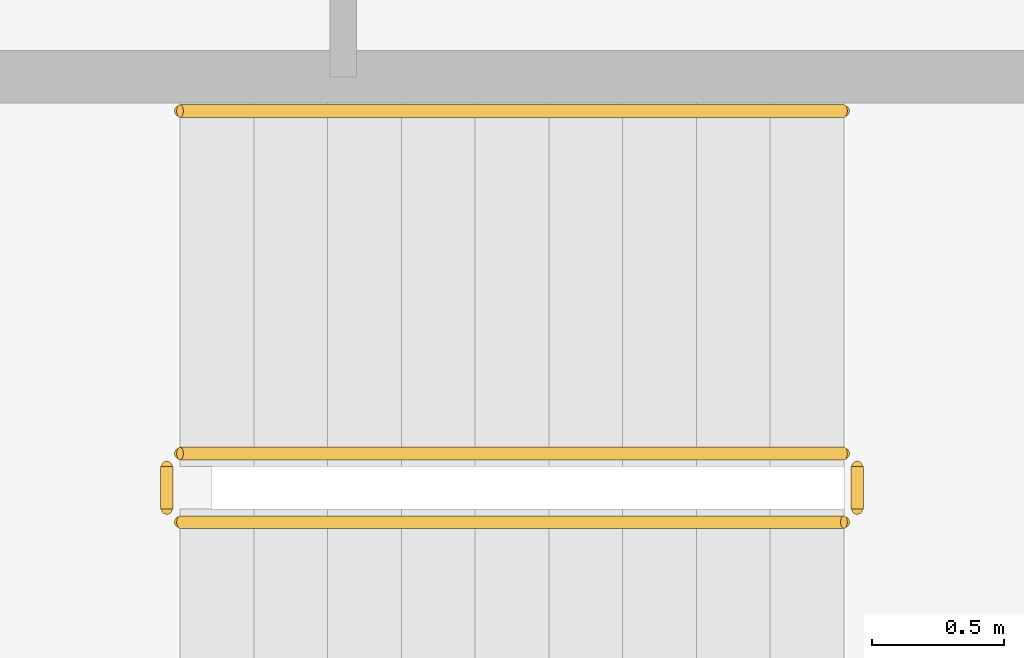
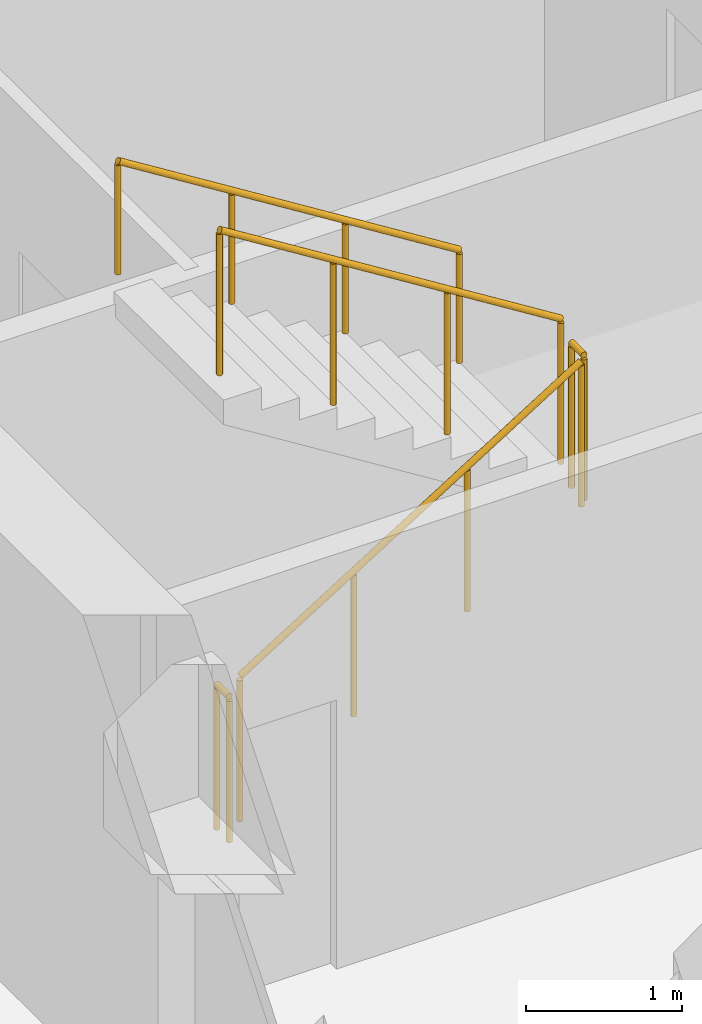
# One storey, part 39 of 42: 5 railings.
"""IFC4 building model written with IfcOpenShell, lengths in metres."""

from ifc_helpers import new_model, si_unit, direction, frame, origin, origin_2d, place, context, subcontext, project, spatial, circle, extrude, material, type_object, element, save


model = new_model("IFC4")

# Units and contexts
model_context = context("Model", 3, precision=1e-05, world=origin(), true_north=direction((0.0, 1.0)))
body_context = subcontext(model_context, "Body", "Model", "MODEL_VIEW")
ifc_project = project(units=[si_unit("LENGTHUNIT", "METRE"), si_unit("AREAUNIT", "SQUARE_METRE"), si_unit("VOLUMEUNIT", "CUBIC_METRE"), si_unit("PLANEANGLEUNIT", "RADIAN"), si_unit("MASSUNIT", "GRAM", prefix="KILO")], contexts=[model_context])

# Site, building, storey
site_placement = place(None, origin())
site = spatial("IfcSite", under=ifc_project, at=site_placement, CompositionType="ELEMENT")
building_placement = place(site_placement, origin())
building = spatial("IfcBuilding", under=site, at=building_placement, Name="Drelvath Grand Hotel", CompositionType="ELEMENT")
storey_placement = place(building_placement, frame((0.0, 0.0, 33.199951171875)))
storey = spatial("IfcBuildingStorey", under=building, at=storey_placement, Name="L06", CompositionType="ELEMENT", Elevation=33.199951171875)

# Railings
ifc_material = material(Name="Painted Steel S275", Category="steel")
railing_type_1 = type_object("IfcRailingType", Name="Core Stair Wall Handrail 900", PredefinedType="HANDRAIL", material=ifc_material)
railing_1_placement = place(storey_placement, frame((-4.080078125, 28.030029296875, 1.925048828125)))
element("IfcRailing", 1, at=railing_1_placement, inside=storey, type_object=railing_type_1, Name="L06 ST-1 stair handrail 2", PredefinedType="HANDRAIL", context=body_context, shape_type="SweptSolid", body=[
    extrude(circle(Radius=0.02392578125, at=origin_2d()), frame((0.0, 0.0, 0.8759765625), z_axis=(-0.848007534815, 0.0, 0.529984170421), x_axis=(0.0, -1.0, 0.0)), (0.0, 0.0, 1.0), 2.9716796875),
    extrude(circle(Radius=0.02099609375, at=origin_2d()), origin(), (0.0, 0.0, 1.0), 0.851806640625),
    extrude(circle(Radius=0.02099609375, at=origin_2d()), frame((-0.840087890625, 0.0, 0.52490234375)), (0.0, 0.0, 1.0), 0.851806640625),
    extrude(circle(Radius=0.02099609375, at=origin_2d()), frame((-1.679931640625, 0.0, 1.050048828125)), (0.0, 0.0, 1.0), 0.851806640625),
    extrude(circle(Radius=0.02099609375, at=origin_2d()), frame((-2.52001953125, 0.0, 1.574951171875)), (0.0, 0.0, 1.0), 0.851806640625),
])
railing_type_2 = type_object("IfcRailingType", Name="Core Stair Well Guardrail 1100", PredefinedType="GUARDRAIL", material=ifc_material)
railing_2_placement = place(storey_placement, frame((-6.60009765625, 26.469970703125, 0.175048828125)))
element("IfcRailing", 2, at=railing_2_placement, inside=storey, type_object=railing_type_2, Name="L06 ST-1 stair guard 1", PredefinedType="GUARDRAIL", context=body_context, shape_type="SweptSolid", body=[
    extrude(circle(Radius=0.02392578125, at=origin_2d()), frame((0.0, 0.0, 1.1259765625), z_axis=(0.848007534815, 0.0, 0.529984170421), x_axis=(0.0, 1.0, 0.0)), (0.0, 0.0, 1.0), 2.9716796875),
    extrude(circle(Radius=0.02099609375, at=origin_2d()), origin(), (0.0, 0.0, 1.0), 1.101806640625),
    extrude(circle(Radius=0.02099609375, at=origin_2d()), frame((0.840087890625, 0.0, 0.52490234375)), (0.0, 0.0, 1.0), 1.101806640625),
    extrude(circle(Radius=0.02099609375, at=origin_2d()), frame((1.679931640625, 0.0, 1.050048828125)), (0.0, 0.0, 1.0), 1.101806640625),
    extrude(circle(Radius=0.02099609375, at=origin_2d()), frame((2.52001953125, 0.0, 1.574951171875)), (0.0, 0.0, 1.0), 1.101806640625),
])
railing_3_placement = place(storey_placement, frame((-4.030029296875, 26.52001953125, 1.75)))
element("IfcRailing", 3, at=railing_3_placement, inside=storey, type_object=railing_type_2, Name="L06 ST-1 stair guard 2", PredefinedType="GUARDRAIL", context=body_context, shape_type="SweptSolid", body=[
    extrude(circle(Radius=0.02392578125, at=origin_2d()), frame((0.0, 0.0, 1.1259765625), z_axis=(0.0, 1.0, 0.0), x_axis=(-1.0, 0.0, 0.0)), (0.0, 0.0, 1.0), 0.159912109375),
    extrude(circle(Radius=0.02099609375, at=origin_2d()), origin(), (0.0, 0.0, 1.0), 1.101806640625),
    extrude(circle(Radius=0.02099609375, at=origin_2d()), frame((0.0, 0.159912109375, 0.0)), (0.0, 0.0, 1.0), 1.101806640625),
])
railing_4_placement = place(storey_placement, frame((-4.080078125, 26.72998046875, 1.925048828125)))
element("IfcRailing", 4, at=railing_4_placement, inside=storey, type_object=railing_type_2, Name="L06 ST-1 stair guard 3", PredefinedType="GUARDRAIL", context=body_context, shape_type="SweptSolid", body=[
    extrude(circle(Radius=0.02392578125, at=origin_2d()), frame((0.0, 0.0, 1.1259765625), z_axis=(-0.848007534815, 0.0, 0.529984170421), x_axis=(0.0, -1.0, 0.0)), (0.0, 0.0, 1.0), 2.9716796875),
    extrude(circle(Radius=0.02099609375, at=origin_2d()), origin(), (0.0, 0.0, 1.0), 1.101806640625),
    extrude(circle(Radius=0.02099609375, at=origin_2d()), frame((-0.840087890625, 0.0, 0.52490234375)), (0.0, 0.0, 1.0), 1.101806640625),
    extrude(circle(Radius=0.02099609375, at=origin_2d()), frame((-1.679931640625, 0.0, 1.050048828125)), (0.0, 0.0, 1.0), 1.101806640625),
    extrude(circle(Radius=0.02099609375, at=origin_2d()), frame((-2.52001953125, 0.0, 1.574951171875)), (0.0, 0.0, 1.0), 1.101806640625),
])
railing_5_placement = place(storey_placement, frame((-6.64990234375, 26.52001953125, 0.0)))
element("IfcRailing", 5, at=railing_5_placement, inside=storey, type_object=railing_type_2, Name="L06 ST-1 stair guard 4", PredefinedType="GUARDRAIL", context=body_context, shape_type="SweptSolid", body=[
    extrude(circle(Radius=0.02392578125, at=origin_2d()), frame((0.0, 0.0, 1.1259765625), z_axis=(0.0, 1.0, 0.0), x_axis=(-1.0, 0.0, 0.0)), (0.0, 0.0, 1.0), 0.159912109375),
    extrude(circle(Radius=0.02099609375, at=origin_2d()), origin(), (0.0, 0.0, 1.0), 1.101806640625),
    extrude(circle(Radius=0.02099609375, at=origin_2d()), frame((0.0, 0.159912109375, 0.0)), (0.0, 0.0, 1.0), 1.101806640625),
])

save(model, "model.ifc")
